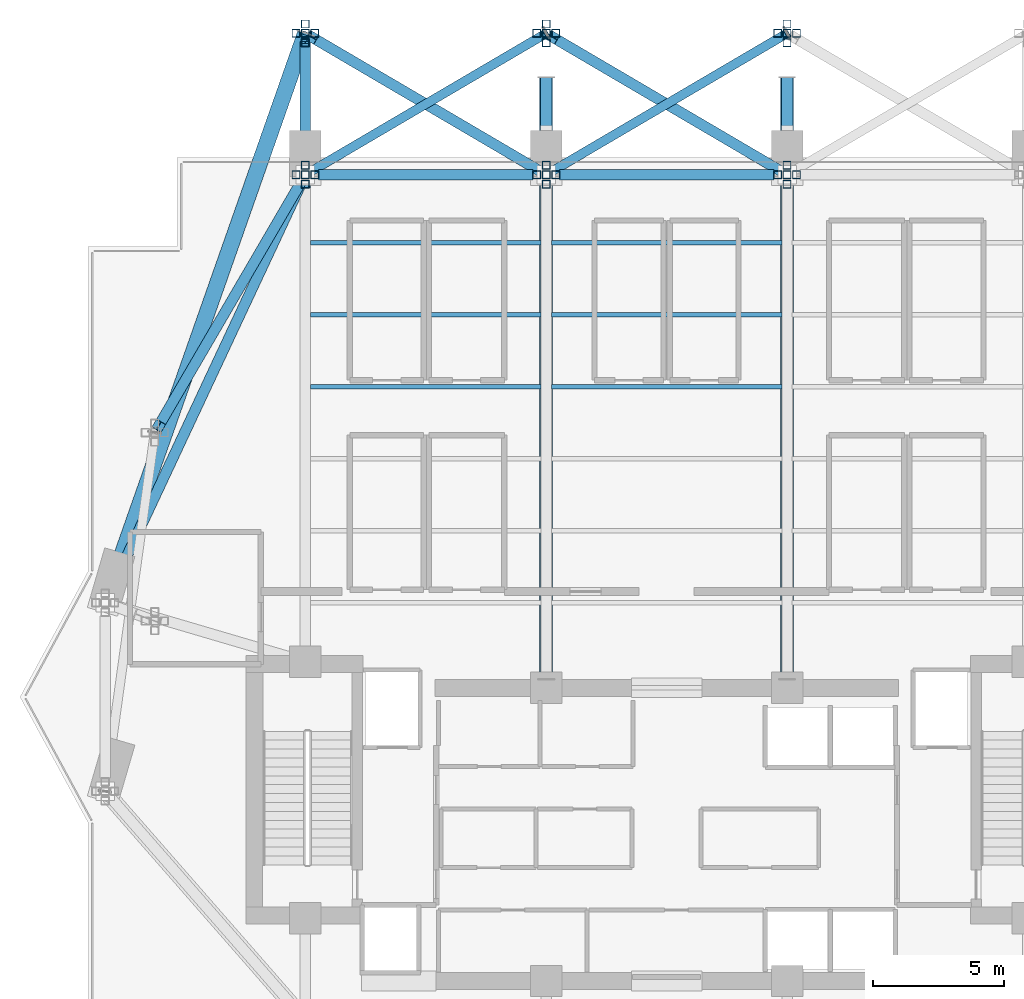
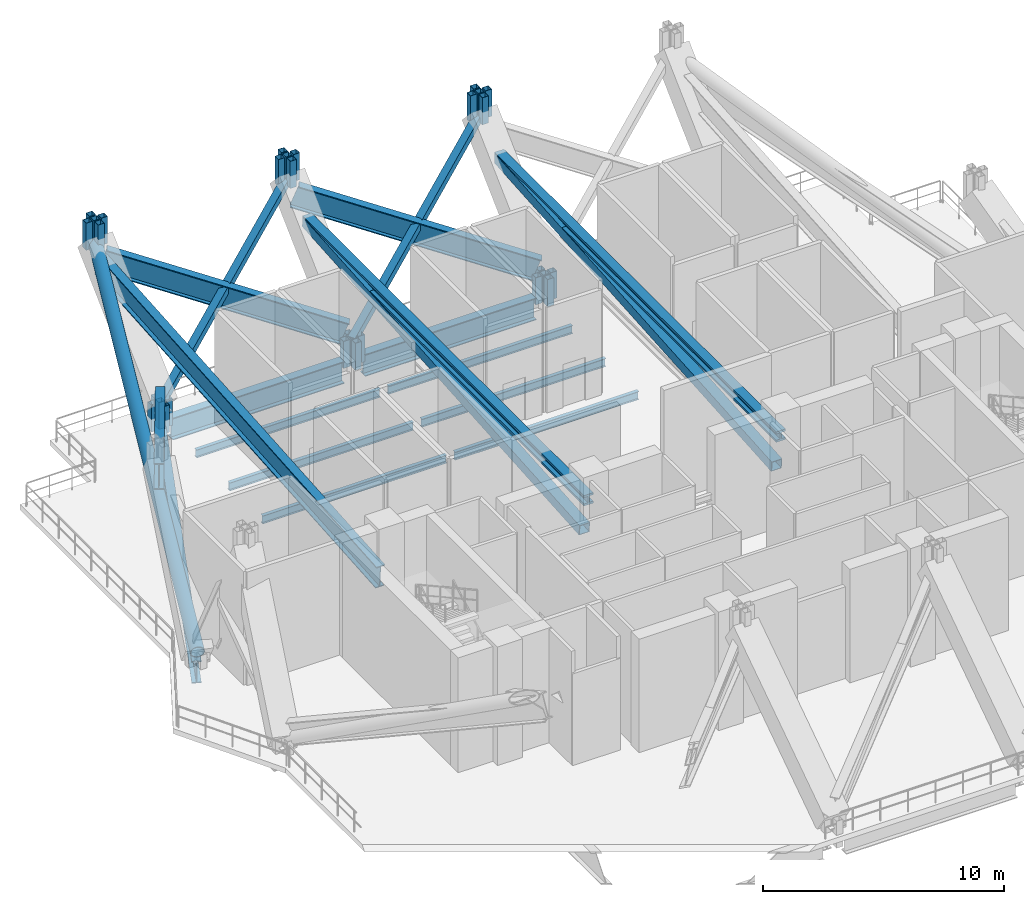
# One storey, part 5 of 18: 37 members, 13 beams.
"""IFC4 building model written with IfcOpenShell, lengths in metres."""

from ifc_helpers import new_model, si_unit, direction, frame, origin, origin_2d, place, context, subcontext, project, spatial, hollow_rectangle, hollow_circle, i_section, extrude, material, material_profile, profile_set, type_object, element, save


model = new_model("IFC4")

# Units and contexts
model_context = context("Model", 3, precision=1e-05, world=origin(), true_north=direction((0.0, 1.0)))
body_context = subcontext(model_context, "Body", "Model", "MODEL_VIEW")
ifc_project = project(units=[si_unit("LENGTHUNIT", "METRE"), si_unit("AREAUNIT", "SQUARE_METRE"), si_unit("VOLUMEUNIT", "CUBIC_METRE"), si_unit("PLANEANGLEUNIT", "RADIAN"), si_unit("MASSUNIT", "GRAM", prefix="KILO")], contexts=[model_context])

# Site, building, storey
site_placement = place(None, origin())
site = spatial("IfcSite", under=ifc_project, at=site_placement, CompositionType="ELEMENT")
building_placement = place(site_placement, origin())
building = spatial("IfcBuilding", under=site, at=building_placement, Name="Zuhayl Quay Hotel", CompositionType="ELEMENT")
storey_placement = place(building_placement, frame((0.0, 0.0, 233.64990234375)))
storey = spatial("IfcBuildingStorey", under=building, at=storey_placement, Name="L59", CompositionType="ELEMENT", Elevation=233.64990234375)

# Beams
ifc_material_1 = material(Name="Steel ASTM A992 Grade 50", Category="steel")
ifc_material_profile_1 = material_profile(ifc_material_1, i_section(OverallWidth=0.177978515625, OverallDepth=0.406005859375, WebThickness=0.0078125, FlangeThickness=0.0126953125, at=origin_2d()), Name="W16X40")
ifc_profile_set_1 = profile_set([ifc_material_profile_1], Name="Steel ASTM A992 Grade 50")
beam_type_1 = type_object("IfcBeamType", Name="BM_J2B_W16X40", PredefinedType="JOIST", material=ifc_profile_set_1)
for number, where, z_axis, x_axis, name in (
    (1, (-13.60595703125, 24.85009765625, -0.462890625), (1.0, 0.0, 0.0), (0.0, 1.0, 0.0), "L59 Floor Beam FJ_L59_4_1"),
    (2, (-4.406005859375, 24.85009765625, -0.462890625), (1.0, 0.0, 0.0), (0.0, 1.0, 0.0), "L59 Floor Beam FJ_L59_4_2"),
    (3, (-13.60595703125, 27.60009765625, -0.462890625), (1.0, 0.0, 0.0), (0.0, 1.0, 0.0), "L59 Floor Beam FJ_L59_5_1"),
    (4, (-4.406005859375, 27.60009765625, -0.462890625), (1.0, 0.0, 0.0), (0.0, 1.0, 0.0), "L59 Floor Beam FJ_L59_5_2"),
    (5, (-13.60595703125, 30.35009765625, -0.462890625), (1.0, 0.0, 0.0), (0.0, 1.0, 0.0), "L59 Floor Beam FJ_L59_6_1"),
    (6, (-4.406005859375, 30.35009765625, -0.462890625), (1.0, 0.0, 0.0), (0.0, 1.0, 0.0), "L59 Floor Beam FJ_L59_6_2"),
):
    element("IfcBeam", number, at=place(storey_placement, frame(where, z_axis=z_axis, x_axis=x_axis)), inside=storey, type_object=beam_type_1, Name=name, PredefinedType="JOIST", context=body_context, shape_type="SweptSolid", body=[
        extrude(i_section(OverallWidth=0.177978515625, OverallDepth=0.406005859375, WebThickness=0.0078125, FlangeThickness=0.0126953125, at=origin_2d()), origin(), (0.0, 0.0, 1.0), 8.81201171875),
    ])
ifc_material_2 = material(Name="Steel ASTM A913 Grade 65", Category="steel")
ifc_material_profile_2 = material_profile(ifc_material_2, i_section(OverallWidth=0.404052734375, OverallDepth=1.117919921875, WebThickness=0.026123046875, FlangeThickness=0.044921875, at=origin_2d()), Name="W44X335")
ifc_profile_set_2 = profile_set([ifc_material_profile_2], Name="Steel ASTM A913 Grade 65")
beam_type_2 = type_object("IfcBeamType", Name="BM_TG1_W44X335", PredefinedType="BEAM", material=ifc_profile_set_2)
beam_1_placement = place(storey_placement, frame((4.10009765625, 32.949951171875, -0.81884765625), z_axis=(-1.0, 0.0, 0.0), x_axis=(0.0, -1.0, 0.0)))
element("IfcBeam", 7, at=beam_1_placement, inside=storey, type_object=beam_type_2, Name="L59 Floor Beam RG_L59_08", PredefinedType="BEAM", context=body_context, shape_type="SweptSolid", body=[
    extrude(i_section(OverallWidth=0.404052734375, OverallDepth=1.117919921875, WebThickness=0.026123046875, FlangeThickness=0.044921875, at=origin_2d()), origin(), (0.0, 0.0, 1.0), 8.2001953125),
])
beam_2_placement = place(storey_placement, frame((-5.10009765625, 32.949951171875, -0.81884765625), z_axis=(-1.0, 0.0, 0.0), x_axis=(0.0, -1.0, 0.0)))
element("IfcBeam", 8, at=beam_2_placement, inside=storey, type_object=beam_type_2, Name="L59 Floor Beam RG_L59_09", PredefinedType="BEAM", context=body_context, shape_type="SweptSolid", body=[
    extrude(i_section(OverallWidth=0.404052734375, OverallDepth=1.117919921875, WebThickness=0.026123046875, FlangeThickness=0.044921875, at=origin_2d()), origin(), (0.0, 0.0, 1.0), 8.199951171875),
])
beam_3_placement = place(storey_placement, frame((-14.011962890625, 32.4970703125, -0.81884765625), z_axis=(-0.423792164429, -0.905759461098, 0.0), x_axis=(0.905759461098, -0.423792164429, 0.0)))
element("IfcBeam", 9, at=beam_3_placement, inside=storey, type_object=beam_type_2, Name="L59 Floor Beam RG_L59_10", PredefinedType="BEAM", context=body_context, shape_type="SweptSolid", body=[
    extrude(i_section(OverallWidth=0.404052734375, OverallDepth=1.117919921875, WebThickness=0.026123046875, FlangeThickness=0.044921875, at=origin_2d()), origin(), (0.0, 0.0, 1.0), 17.051025390625),
])
for number, where, z_axis, x_axis, name in (
    (10, (4.34130859375, 33.101806640625, 0.9501953125), (-0.810266738634, 0.475579459629, 0.34247918162), (-0.506191158603, -0.862421307107, 0.0), "L59 Wind-Floor Inclined Belt Girder 08"),
    (11, (-4.858642578125, 33.101806640625, 0.9501953125), (-0.810266738634, 0.475579459629, 0.34247918162), (-0.506191158603, -0.862421307107, 0.0), "L59 Wind-Floor Inclined Belt Girder 09"),
):
    element("IfcBeam", number, at=place(storey_placement, frame(where, z_axis=z_axis, x_axis=x_axis)), inside=storey, type_object=beam_type_2, Name=name, PredefinedType="BEAM", context=body_context, shape_type="SweptSolid", body=[
        extrude(i_section(OverallWidth=0.404052734375, OverallDepth=1.117919921875, WebThickness=0.026123046875, FlangeThickness=0.044921875, at=origin_2d()), origin(), (0.0, 0.0, 1.0), 10.7158203125),
    ])
beam_4_placement = place(storey_placement, frame((-13.951171875, 32.69091796875, 0.9501953125), z_axis=(-0.477363563908, -0.81774156336, 0.321594097282), x_axis=(0.863619058926, -0.504144940528, 0.0)))
element("IfcBeam", 12, at=beam_4_placement, inside=storey, type_object=beam_type_2, Name="L59 Wind-Floor Inclined Belt Girder 10", PredefinedType="BEAM", context=body_context, shape_type="SweptSolid", body=[
    extrude(i_section(OverallWidth=0.404052734375, OverallDepth=1.117919921875, WebThickness=0.026123046875, FlangeThickness=0.044921875, at=origin_2d()), origin(), (0.0, 0.0, 1.0), 11.41162109375),
])
beam_5_placement = place(storey_placement, frame((-13.800048828125, 14.699951171875, 2.85009765625), z_axis=(0.0, 0.99712698618, 0.075748091933), x_axis=(-1.0, 0.0, 0.0)))
element("IfcBeam", 13, at=beam_5_placement, inside=storey, type_object=beam_type_2, Name="L59 Wind-Floor Inclined Outrigger Girder 1", PredefinedType="BEAM", context=body_context, shape_type="SweptSolid", body=[
    extrude(i_section(OverallWidth=0.404052734375, OverallDepth=1.117919921875, WebThickness=0.026123046875, FlangeThickness=0.044921875, at=origin_2d()), origin(), (0.0, 0.0, 1.0), 23.3671875),
])

# Members
ifc_material_3 = material(Name="Steel ASTM A500 Grade C", Category="steel")
ifc_material_profile_3 = material_profile(ifc_material_3, hollow_rectangle(XDim=0.35009765625, YDim=0.35009765625, WallThickness=0.01611328125, at=origin_2d()), Name="HSS350X350X16")
ifc_profile_set_3 = profile_set([ifc_material_profile_3], Name="Steel ASTM A500 Grade C")
member_type_1 = type_object("IfcMemberType", Name="MB_BT_DIAG_HSS350", PredefinedType="BRACE", material=ifc_profile_set_3)
member_1_placement = place(storey_placement, frame((-13.800048828125, 32.949951171875, 0.550048828125), z_axis=(0.783685509818, 0.460004240418, 0.417412410571), x_axis=(-0.506212779879, 0.862408616311, 0.0)))
element("IfcMember", 14, at=member_1_placement, inside=storey, type_object=member_type_1, Name="L59 Belt Truss BT3 Diagonal N12", PredefinedType="BRACE", context=body_context, shape_type="SweptSolid", body=[
    extrude(hollow_rectangle(XDim=0.35009765625, YDim=0.35009765625, WallThickness=0.01611328125, at=origin_2d()), origin(), (0.0, 0.0, 1.0), 11.7392578125),
])
member_2_placement = place(storey_placement, frame((-4.60009765625, 32.949951171875, 0.550048828125), z_axis=(0.783693533794, 0.459996743286, 0.4174056076), x_axis=(-0.506202788931, 0.862414480676, 0.0)))
element("IfcMember", 15, at=member_2_placement, inside=storey, type_object=member_type_1, Name="L59 Belt Truss BT3 Diagonal N23", PredefinedType="BRACE", context=body_context, shape_type="SweptSolid", body=[
    extrude(hollow_rectangle(XDim=0.35009765625, YDim=0.35009765625, WallThickness=0.01611328125, at=origin_2d()), origin(), (0.0, 0.0, 1.0), 11.739501953125),
])
ifc_material_profile_4 = material_profile(ifc_material_3, hollow_rectangle(XDim=0.300048828125, YDim=0.300048828125, WallThickness=0.012451171875, at=origin_2d()), Name="HSS300X300X12")
ifc_profile_set_4 = profile_set([ifc_material_profile_4], Name="Steel ASTM A500 Grade C")
member_type_2 = type_object("IfcMemberType", Name="MB_CR_BRACE_HSS300", PredefinedType="BRACE", material=ifc_profile_set_4)
for number, where, z_axis, x_axis, name in (
    (16, (-13.800048828125, 32.949951171875, -0.64990234375), (0.0, 0.0, 1.0), (1.0, 0.0, 0.0), "L59 Mega-Column Lower Knuckle Leg MC_N1-1"),
    (17, (-13.800048828125, 38.35009765625, 5.280029296875), (0.0, 0.0, 1.0), (1.0, 0.0, 0.0), "L59 Mega-Column Upper Knuckle Leg MC_N1-1"),
    (18, (-13.800048828125, 33.31005859375, -0.64990234375), (0.0, 0.0, 1.0), (1.0, 0.0, 0.0), "L59 Mega-Column Lower Knuckle Leg MC_N1-2"),
    (19, (-13.800048828125, 38.7099609375, 5.280029296875), (0.0, 0.0, 1.0), (1.0, 0.0, 0.0), "L59 Mega-Column Upper Knuckle Leg MC_N1-2"),
    (20, (-13.800048828125, 32.590087890625, -0.64990234375), (0.0, 0.0, 1.0), (1.0, 0.0, 0.0), "L59 Mega-Column Lower Knuckle Leg MC_N1-3"),
    (21, (-13.800048828125, 37.989990234375, 5.280029296875), (0.0, 0.0, 1.0), (1.0, 0.0, 0.0), "L59 Mega-Column Upper Knuckle Leg MC_N1-3"),
    (22, (-13.43994140625, 32.949951171875, -0.64990234375), (0.0, 0.0, 1.0), (1.0, 0.0, 0.0), "L59 Mega-Column Lower Knuckle Leg MC_N1-4"),
    (23, (-13.43994140625, 38.35009765625, 5.280029296875), (0.0, 0.0, 1.0), (1.0, 0.0, 0.0), "L59 Mega-Column Upper Knuckle Leg MC_N1-4"),
    (24, (-14.159912109375, 32.949951171875, -0.64990234375), (0.0, 0.0, 1.0), (1.0, 0.0, 0.0), "L59 Mega-Column Lower Knuckle Leg MC_N1-5"),
    (25, (-14.159912109375, 38.35009765625, 5.280029296875), (0.0, 0.0, 1.0), (1.0, 0.0, 0.0), "L59 Mega-Column Upper Knuckle Leg MC_N1-5"),
    (26, (-4.60009765625, 32.949951171875, -0.64990234375), (0.0, 0.0, 1.0), (1.0, 0.0, 0.0), "L59 Mega-Column Lower Knuckle Leg MC_N2-1"),
    (27, (-4.60009765625, 38.35009765625, 5.280029296875), (0.0, 0.0, 1.0), (1.0, 0.0, 0.0), "L59 Mega-Column Upper Knuckle Leg MC_N2-1"),
    (28, (-4.60009765625, 33.31005859375, -0.64990234375), (0.0, 0.0, 1.0), (1.0, 0.0, 0.0), "L59 Mega-Column Lower Knuckle Leg MC_N2-2"),
    (29, (-4.60009765625, 38.7099609375, 5.280029296875), (0.0, 0.0, 1.0), (1.0, 0.0, 0.0), "L59 Mega-Column Upper Knuckle Leg MC_N2-2"),
    (30, (-4.60009765625, 32.590087890625, -0.64990234375), (0.0, 0.0, 1.0), (1.0, 0.0, 0.0), "L59 Mega-Column Lower Knuckle Leg MC_N2-3"),
    (31, (-4.60009765625, 37.989990234375, 5.280029296875), (0.0, 0.0, 1.0), (1.0, 0.0, 0.0), "L59 Mega-Column Upper Knuckle Leg MC_N2-3"),
    (32, (-4.239990234375, 32.949951171875, -0.64990234375), (0.0, 0.0, 1.0), (1.0, 0.0, 0.0), "L59 Mega-Column Lower Knuckle Leg MC_N2-4"),
    (33, (-4.239990234375, 38.35009765625, 5.280029296875), (0.0, 0.0, 1.0), (1.0, 0.0, 0.0), "L59 Mega-Column Upper Knuckle Leg MC_N2-4"),
    (34, (-4.9599609375, 32.949951171875, -0.64990234375), (0.0, 0.0, 1.0), (1.0, 0.0, 0.0), "L59 Mega-Column Lower Knuckle Leg MC_N2-5"),
    (35, (-4.9599609375, 38.35009765625, 5.280029296875), (0.0, 0.0, 1.0), (1.0, 0.0, 0.0), "L59 Mega-Column Upper Knuckle Leg MC_N2-5"),
    (36, (4.60009765625, 32.949951171875, -0.64990234375), (0.0, 0.0, 1.0), (1.0, 0.0, 0.0), "L59 Mega-Column Lower Knuckle Leg MC_N3-1"),
    (37, (4.60009765625, 38.35009765625, 5.280029296875), (0.0, 0.0, 1.0), (1.0, 0.0, 0.0), "L59 Mega-Column Upper Knuckle Leg MC_N3-1"),
    (38, (4.60009765625, 33.31005859375, -0.64990234375), (0.0, 0.0, 1.0), (1.0, 0.0, 0.0), "L59 Mega-Column Lower Knuckle Leg MC_N3-2"),
    (39, (4.60009765625, 38.7099609375, 5.280029296875), (0.0, 0.0, 1.0), (1.0, 0.0, 0.0), "L59 Mega-Column Upper Knuckle Leg MC_N3-2"),
    (40, (4.60009765625, 32.590087890625, -0.64990234375), (0.0, 0.0, 1.0), (1.0, 0.0, 0.0), "L59 Mega-Column Lower Knuckle Leg MC_N3-3"),
    (41, (4.60009765625, 37.989990234375, 5.280029296875), (0.0, 0.0, 1.0), (1.0, 0.0, 0.0), "L59 Mega-Column Upper Knuckle Leg MC_N3-3"),
    (42, (4.9599609375, 32.949951171875, -0.64990234375), (0.0, 0.0, 1.0), (1.0, 0.0, 0.0), "L59 Mega-Column Lower Knuckle Leg MC_N3-4"),
    (43, (4.9599609375, 38.35009765625, 5.280029296875), (0.0, 0.0, 1.0), (1.0, 0.0, 0.0), "L59 Mega-Column Upper Knuckle Leg MC_N3-4"),
    (44, (4.239990234375, 32.949951171875, -0.64990234375), (0.0, 0.0, 1.0), (1.0, 0.0, 0.0), "L59 Mega-Column Lower Knuckle Leg MC_N3-5"),
    (45, (4.239990234375, 38.35009765625, 5.280029296875), (0.0, 0.0, 1.0), (1.0, 0.0, 0.0), "L59 Mega-Column Upper Knuckle Leg MC_N3-5"),
):
    element("IfcMember", number, at=place(storey_placement, frame(where, z_axis=z_axis, x_axis=x_axis)), inside=storey, type_object=member_type_2, Name=name, PredefinedType="STRUT", context=body_context, shape_type="SweptSolid", body=[
        extrude(hollow_rectangle(XDim=0.300048828125, YDim=0.300048828125, WallThickness=0.012451171875, at=origin_2d()), origin(), (0.0, 0.0, 1.0), 1.3701171875),
    ])
ifc_material_profile_5 = material_profile(ifc_material_2, i_section(OverallWidth=0.44189453125, OverallDepth=0.531005859375, WebThickness=0.06591796875, FlangeThickness=0.105712890625, at=origin_2d()), Name="W14X605")
ifc_profile_set_5 = profile_set([ifc_material_profile_5], Name="Steel ASTM A913 Grade 65")
member_type_3 = type_object("IfcMemberType", Name="MB_OT_CHORD_605", PredefinedType="CHORD", material=ifc_profile_set_5)
for number, where, z_axis, x_axis, name in (
    (46, (-4.60009765625, 13.35009765625, 4.35009765625), (0.0, 1.0, 0.0), (-1.0, 0.0, 0.0), "L59 Outrigger Truss OT3 North Top Chord 1"),
    (47, (4.60009765625, 13.35009765625, 4.35009765625), (0.0, 1.0, 0.0), (-1.0, 0.0, 0.0), "L59 Outrigger Truss OT3 North Top Chord 2"),
):
    element("IfcMember", number, at=place(storey_placement, frame(where, z_axis=z_axis, x_axis=x_axis)), inside=storey, type_object=member_type_3, Name=name, PredefinedType="CHORD", context=body_context, shape_type="SweptSolid", body=[
        extrude(i_section(OverallWidth=0.44189453125, OverallDepth=0.531005859375, WebThickness=0.06591796875, FlangeThickness=0.105712890625, at=origin_2d()), origin(), (0.0, 0.0, 1.0), 23.360595703125),
    ])
ifc_material_profile_6 = material_profile(ifc_material_3, hollow_rectangle(XDim=0.5, YDim=0.5, WallThickness=0.02001953125, at=origin_2d()), Name="HSS500X500X20")
ifc_profile_set_6 = profile_set([ifc_material_profile_6], Name="Steel ASTM A500 Grade C")
member_type_4 = type_object("IfcMemberType", Name="MB_OT_DIAG_HSS500", PredefinedType="BRACE", material=ifc_profile_set_6)
for number, where, z_axis, x_axis, name in (
    (48, (-4.60009765625, 13.699951171875, 2.650146484375), (0.0, 0.997270444568, 0.073835360038), (-1.0, 0.0, 0.0), "L59 Outrigger Truss OT3 North Diagonal 1"),
    (49, (4.60009765625, 13.699951171875, 2.650146484375), (0.0, 0.997270444568, 0.073835360038), (-1.0, 0.0, 0.0), "L59 Outrigger Truss OT3 North Diagonal 2"),
):
    element("IfcMember", number, at=place(storey_placement, frame(where, z_axis=z_axis, x_axis=x_axis)), inside=storey, type_object=member_type_4, Name=name, PredefinedType="BRACE", context=body_context, shape_type="SweptSolid", body=[
        extrude(hollow_rectangle(XDim=0.5, YDim=0.5, WallThickness=0.02001953125, at=origin_2d()), origin(), (0.0, 0.0, 1.0), 23.0234375),
    ])
ifc_material_profile_7 = material_profile(ifc_material_3, hollow_circle(Radius=0.304931640625, WallThickness=0.02001953125, at=origin_2d()), Name="CHS610X20")
ifc_profile_set_7 = profile_set([ifc_material_profile_7], Name="Steel ASTM A500 Grade C")
member_type_5 = type_object("IfcMemberType", Name="MB_ST_CHS610", PredefinedType="STRUT", material=ifc_profile_set_7)
member_3_placement = place(storey_placement, frame((-21.449951171875, 16.60009765625, 0.550048828125), z_axis=(0.324546365274, 0.922741641334, 0.20788823953), x_axis=(-0.943351431391, 0.331795233378, 0.0)))
element("IfcMember", 50, at=member_3_placement, inside=storey, type_object=member_type_5, Name="L59 Wind-Floor Corner Mega-Strut NW", PredefinedType="STRUT", context=body_context, shape_type="SweptSolid", body=[
    extrude(hollow_circle(Radius=0.304931640625, WallThickness=0.02001953125, at=origin_2d()), origin(), (0.0, 0.0, 1.0), 23.571044921875),
])

save(model, "model.ifc")
